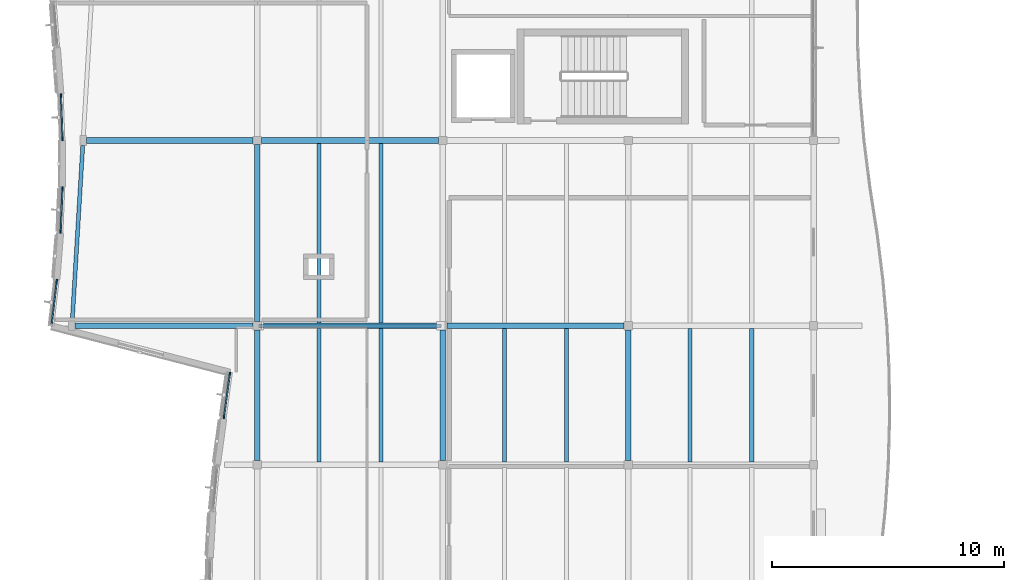
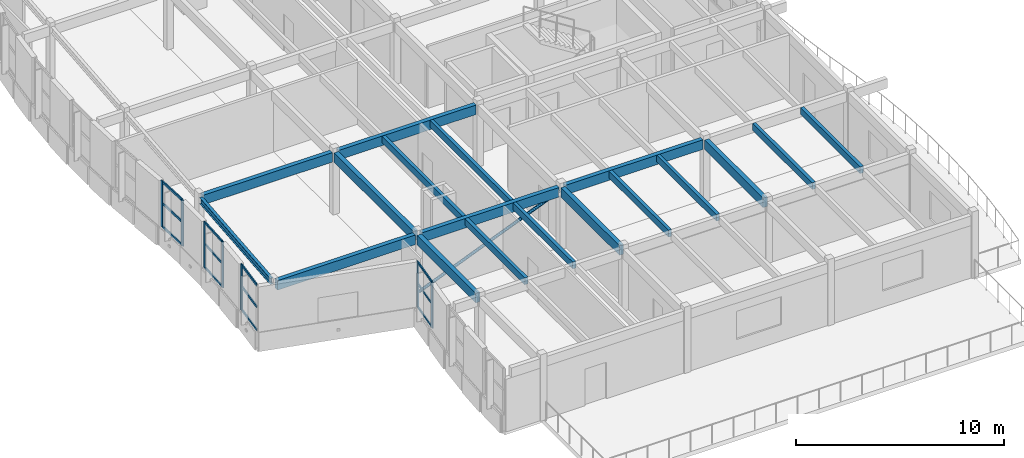
# One storey, part 7 of 63: 20 members, 18 beams, 4 elements without a shape of their own.
"""IFC4 building model written with IfcOpenShell, lengths in metres."""

from ifc_helpers import new_model, si_unit, direction, frame, origin, origin_2d, place, context, subcontext, project, spatial, rectangle, hollow_circle, i_section, extrude, material, layer, layer_set, material_profile, profile_set, type_object, element, aggregate, save


model = new_model("IFC4")

# Units and contexts
model_context = context("Model", 3, precision=1e-05, world=origin(), true_north=direction((0.0, 1.0)))
body_context = subcontext(model_context, "Body", "Model", "MODEL_VIEW")
ifc_project = project(units=[si_unit("LENGTHUNIT", "METRE"), si_unit("AREAUNIT", "SQUARE_METRE"), si_unit("VOLUMEUNIT", "CUBIC_METRE"), si_unit("PLANEANGLEUNIT", "RADIAN"), si_unit("MASSUNIT", "GRAM", prefix="KILO")], contexts=[model_context])

# Site, building, storey
site_placement = place(None, origin())
site = spatial("IfcSite", under=ifc_project, at=site_placement, CompositionType="ELEMENT")
building_placement = place(site_placement, origin())
building = spatial("IfcBuilding", under=site, at=building_placement, Name="Tonlespit Floodbar School", CompositionType="ELEMENT")
storey_placement = place(building_placement, frame((0.0, 0.0, 8.39990234375)))
storey = spatial("IfcBuildingStorey", under=building, at=storey_placement, Name="L02", CompositionType="ELEMENT", Elevation=8.39990234375)

# Beams
ifc_material_1 = material(Name="Glulam GL28h", Category="wood")
ifc_material_profile_1 = material_profile(ifc_material_1, rectangle(XDim=0.239990234375, YDim=0.56005859375, at=origin_2d()), Name="GL 240x560")
ifc_profile_set_1 = profile_set([ifc_material_profile_1], Name="Glulam GL28h")
beam_type_1 = type_object("IfcBeamType", Name="Beam_GL_240x560", PredefinedType="BEAM", material=ifc_profile_set_1)
beam_1_placement = place(storey_placement, frame((4.139892578125, 56.0, 3.3701171875), z_axis=(1.0, 0.0, 0.0), x_axis=(0.0, 1.0, 0.0)))
element("IfcBeam", 1, at=beam_1_placement, inside=storey, type_object=beam_type_1, Name="L02 girder 0932", PredefinedType="BEAM", context=body_context, shape_type="SweptSolid", body=[
    extrude(rectangle(XDim=0.239990234375, YDim=0.56005859375, at=origin_2d()), origin(), (0.0, 0.0, 1.0), 7.68017578125),
])
for number, where, z_axis, x_axis, name in (
    (2, (12.179931640625, 56.0, 3.3681640625), (1.0, 0.0, 0.0), (0.0, 1.0, 0.0), "L02 girder 0933"),
    (3, (20.179931640625, 56.0, 3.3681640625), (1.0, 0.0, 0.0), (0.0, 1.0, 0.0), "L02 girder 0934"),
):
    element("IfcBeam", number, at=place(storey_placement, frame(where, z_axis=z_axis, x_axis=x_axis)), inside=storey, type_object=beam_type_1, Name=name, PredefinedType="BEAM", context=body_context, shape_type="SweptSolid", body=[
        extrude(rectangle(XDim=0.239990234375, YDim=0.56005859375, at=origin_2d()), origin(), (0.0, 0.0, 1.0), 7.64013671875),
    ])
beam_2_placement = place(storey_placement, frame((4.6201171875, 64.0, 3.3701171875), z_axis=(1.0, 0.0, 0.0), x_axis=(0.0, 1.0, 0.0)))
element("IfcBeam", 4, at=beam_2_placement, inside=storey, type_object=beam_type_1, Name="L02 girder 0936", PredefinedType="BEAM", context=body_context, shape_type="SweptSolid", body=[
    extrude(rectangle(XDim=0.239990234375, YDim=0.56005859375, at=origin_2d()), origin(), (0.0, 0.0, 1.0), 7.199951171875),
])
beam_3_placement = place(storey_placement, frame((12.179931640625, 64.0, 3.3701171875), z_axis=(1.0, 0.0, 0.0), x_axis=(0.0, 1.0, 0.0)))
element("IfcBeam", 5, at=beam_3_placement, inside=storey, type_object=beam_type_1, Name="L02 girder 0937", PredefinedType="BEAM", context=body_context, shape_type="SweptSolid", body=[
    extrude(rectangle(XDim=0.239990234375, YDim=0.56005859375, at=origin_2d()), origin(), (0.0, 0.0, 1.0), 7.64013671875),
])
beam_4_placement = place(storey_placement, frame((12.0, 50.179931640625, 3.3681640625), z_axis=(0.0, 1.0, 0.0), x_axis=(-1.0, 0.0, 0.0)))
element("IfcBeam", 6, at=beam_4_placement, inside=storey, type_object=beam_type_1, Name="L02 girder 1002", PredefinedType="BEAM", context=body_context, shape_type="SweptSolid", body=[
    extrude(rectangle(XDim=0.239990234375, YDim=0.56005859375, at=origin_2d()), origin(), (0.0, 0.0, 1.0), 5.64013671875),
])
beam_5_placement = place(storey_placement, frame((12.0, 56.179931640625, 3.3701171875), z_axis=(0.0, 1.0, 0.0), x_axis=(-1.0, 0.0, 0.0)))
element("IfcBeam", 7, at=beam_5_placement, inside=storey, type_object=beam_type_1, Name="L02 girder 1003", PredefinedType="BEAM", context=body_context, shape_type="SweptSolid", body=[
    extrude(rectangle(XDim=0.239990234375, YDim=0.56005859375, at=origin_2d()), origin(), (0.0, 0.0, 1.0), 7.64013671875),
])
for number, where, z_axis, x_axis, name in (
    (8, (20.0, 50.179931640625, 3.3681640625), (0.0, 1.0, 0.0), (-1.0, 0.0, 0.0), "L02 girder 1011"),
    (9, (28.0, 50.179931640625, 3.3681640625), (0.0, 1.0, 0.0), (-1.0, 0.0, 0.0), "L02 girder 1020"),
):
    element("IfcBeam", number, at=place(storey_placement, frame(where, z_axis=z_axis, x_axis=x_axis)), inside=storey, type_object=beam_type_1, Name=name, PredefinedType="BEAM", context=body_context, shape_type="SweptSolid", body=[
        extrude(rectangle(XDim=0.239990234375, YDim=0.56005859375, at=origin_2d()), origin(), (0.0, 0.0, 1.0), 5.64013671875),
    ])

# Member
ifc_material_2 = material(Name="Steel S355", Category="steel")
ifc_material_profile_2 = material_profile(ifc_material_2, hollow_circle(Radius=0.084228515625, WallThickness=0.008056640625, at=origin_2d()), Name="CHS 168.3x8")
ifc_profile_set_2 = profile_set([ifc_material_profile_2], Name="Steel S355")
member_type_1 = type_object("IfcMemberType", Name="Brace_STL_CHS168", PredefinedType="BRACE", material=ifc_profile_set_2)
member_1_placement = place(storey_placement, frame((12.080078125, 56.0, 0.150146484375), z_axis=(0.92584702609, 0.0, 0.377898510556), x_axis=(0.0, 1.0, 0.0)))
element("IfcMember", 10, at=member_1_placement, inside=storey, type_object=member_type_1, Name="L02 exposed deconstructivist lateral brace 1", PredefinedType="BRACE", context=body_context, shape_type="SweptSolid", body=[
    extrude(hollow_circle(Radius=0.084228515625, WallThickness=0.008056640625, at=origin_2d()), origin(), (0.0, 0.0, 1.0), 8.4677734375),
])

# Curtain wall, members
ifc_material_3 = material(Name="Anodised Aluminium", Category="aluminium")
ifc_layer_1 = layer(ifc_material_3, 0.159912109375)
ifc_layer_set_1 = layer_set([ifc_layer_1], Name="Anodised Aluminium")
curtain_wall_type_1 = type_object("IfcCurtainWallType", Name="CurtainWall_1950x2700", PredefinedType="NOTDEFINED", material=ifc_layer_set_1)
curtain_wall_1_placement = place(storey_placement, origin())
curtain_wall_1 = element("IfcCurtainWall", 11, at=curtain_wall_1_placement, inside=storey, type_object=curtain_wall_type_1, Name="L02 unitised curtain wall 0286", PredefinedType="NOTDEFINED")
ifc_material_profile_3 = material_profile(ifc_material_3, rectangle(XDim=0.06494140625, YDim=0.14990234375, at=origin_2d()), Name="ALU M65x150")
ifc_profile_set_3 = profile_set([ifc_material_profile_3], Name="Anodised Aluminium")
member_type_2 = type_object("IfcMemberType", Name="CW_Mullion_65x150", PredefinedType="MULLION", material=ifc_profile_set_3)
member_2_placement = place(storey_placement, frame((10.559814453125, 52.07177734375, 0.9501953125), z_axis=(0.0, 0.0, 1.0), x_axis=(-0.990894096494, 0.134643564765, 0.0)))
member_2 = element("IfcMember", 12, at=member_2_placement, type_object=member_type_2, Name="CW-04 mullion 1", PredefinedType="MULLION", context=body_context, shape_type="SweptSolid", body=[
    extrude(rectangle(XDim=0.06494140625, YDim=0.14990234375, at=origin_2d()), origin(), (0.0, 0.0, 1.0), 2.699951171875),
])
member_3_placement = place(storey_placement, frame((10.81201171875, 53.92822265625, 0.9501953125), z_axis=(0.0, 0.0, 1.0), x_axis=(-0.990894096494, 0.134643564765, 0.0)))
member_3 = element("IfcMember", 13, at=member_3_placement, type_object=member_type_2, Name="CW-04 mullion 2", PredefinedType="MULLION", context=body_context, shape_type="SweptSolid", body=[
    extrude(rectangle(XDim=0.06494140625, YDim=0.14990234375, at=origin_2d()), origin(), (0.0, 0.0, 1.0), 2.699951171875),
])

ifc_layer_2 = layer(ifc_material_3, 0.159912109375)
ifc_layer_set_2 = layer_set([ifc_layer_2], Name="Anodised Aluminium")
curtain_wall_type_2 = type_object("IfcCurtainWallType", Name="CurtainWall_1900x2700", PredefinedType="NOTDEFINED", material=ifc_layer_set_2)
curtain_wall_2_placement = place(storey_placement, origin())
curtain_wall_2 = element("IfcCurtainWall", 14, at=curtain_wall_2_placement, inside=storey, type_object=curtain_wall_type_2, Name="L02 unitised curtain wall 0288", PredefinedType="NOTDEFINED")
member_4_placement = place(storey_placement, frame((3.511962890625, 60.072509765625, 0.9501953125), z_axis=(0.0, 0.0, 1.0), x_axis=(-0.999169480615, 0.040747380387, 0.0)))
member_4 = element("IfcMember", 15, at=member_4_placement, type_object=member_type_2, Name="CW-05 mullion 1", PredefinedType="MULLION", context=body_context, shape_type="SweptSolid", body=[
    extrude(rectangle(XDim=0.06494140625, YDim=0.14990234375, at=origin_2d()), origin(), (0.0, 0.0, 1.0), 2.699951171875),
])
member_5_placement = place(storey_placement, frame((3.587646484375, 61.927490234375, 0.9501953125), z_axis=(0.0, 0.0, 1.0), x_axis=(-0.999169480615, 0.040747380387, 0.0)))
member_5 = element("IfcMember", 16, at=member_5_placement, type_object=member_type_2, Name="CW-05 mullion 2", PredefinedType="MULLION", context=body_context, shape_type="SweptSolid", body=[
    extrude(rectangle(XDim=0.06494140625, YDim=0.14990234375, at=origin_2d()), origin(), (0.0, 0.0, 1.0), 2.699951171875),
])

# Curtain wall, member
curtain_wall_3_placement = place(storey_placement, origin())
curtain_wall_3 = element("IfcCurtainWall", 17, at=curtain_wall_3_placement, inside=storey, type_object=curtain_wall_type_1, Name="L02 unitised curtain wall 0287", PredefinedType="NOTDEFINED")
ifc_material_profile_4 = material_profile(ifc_material_3, rectangle(XDim=0.06494140625, YDim=0.179931640625, at=origin_2d()), Name="ALU M65x180")
ifc_profile_set_4 = profile_set([ifc_material_profile_4], Name="Anodised Aluminium")
member_type_3 = type_object("IfcMemberType", Name="CW_Mullion_65x180", PredefinedType="MULLION", material=ifc_profile_set_4)
member_6_placement = place(storey_placement, frame((3.342041015625, 57.927978515625, 0.9501953125), z_axis=(0.0, 0.0, 1.0), x_axis=(-0.993135771716, 0.116967255837, 0.0)))
member_6 = element("IfcMember", 18, at=member_6_placement, type_object=member_type_3, Name="CW-04 mullion 2", PredefinedType="MULLION", context=body_context, shape_type="SweptSolid", body=[
    extrude(rectangle(XDim=0.06494140625, YDim=0.179931640625, at=origin_2d()), origin(), (0.0, 0.0, 1.0), 2.699951171875),
])

# Curtain wall, members
curtain_wall_4_placement = place(storey_placement, origin())
curtain_wall_4 = element("IfcCurtainWall", 19, at=curtain_wall_4_placement, inside=storey, type_object=curtain_wall_type_2, Name="L02 unitised curtain wall 0289", PredefinedType="NOTDEFINED")
member_7_placement = place(storey_placement, frame((3.59228515625, 64.072509765625, 0.9501953125), z_axis=(0.0, 0.0, 1.0), x_axis=(-0.999332261205, -0.036538085803, 0.0)))
member_7 = element("IfcMember", 20, at=member_7_placement, type_object=member_type_3, Name="CW-05 mullion 1", PredefinedType="MULLION", context=body_context, shape_type="SweptSolid", body=[
    extrude(rectangle(XDim=0.06494140625, YDim=0.179931640625, at=origin_2d()), origin(), (0.0, 0.0, 1.0), 2.699951171875),
])
member_8_placement = place(storey_placement, frame((3.5244140625, 65.927490234375, 0.9501953125), z_axis=(0.0, 0.0, 1.0), x_axis=(-0.999332261205, -0.036538085803, 0.0)))
member_8 = element("IfcMember", 21, at=member_8_placement, type_object=member_type_3, Name="CW-05 mullion 2", PredefinedType="MULLION", context=body_context, shape_type="SweptSolid", body=[
    extrude(rectangle(XDim=0.06494140625, YDim=0.179931640625, at=origin_2d()), origin(), (0.0, 0.0, 1.0), 2.699951171875),
])

# Member
ifc_material_profile_5 = material_profile(ifc_material_3, rectangle(XDim=0.06494140625, YDim=0.1201171875, at=origin_2d()), Name="ALU T65x120")
ifc_profile_set_5 = profile_set([ifc_material_profile_5], Name="Anodised Aluminium")
member_type_4 = type_object("IfcMemberType", Name="CW_Transom_65x120", PredefinedType="USERDEFINED", material=ifc_profile_set_5)
member_9_placement = place(storey_placement, frame((10.564208984375, 52.10400390625, 0.982666015625), z_axis=(0.1345950926, 0.990900681728, 0.0), x_axis=(-0.990900681728, 0.1345950926, 0.0)))
member_9 = element("IfcMember", 22, at=member_9_placement, type_object=member_type_4, Name="CW-04 transom 1.1", ObjectType="TRANSOM", PredefinedType="USERDEFINED", context=body_context, shape_type="SweptSolid", body=[
    extrude(rectangle(XDim=0.06494140625, YDim=0.1201171875, at=origin_2d()), origin(), (0.0, 0.0, 1.0), 1.808349609375),
])

member_10_placement = place(storey_placement, frame((10.564208984375, 52.10400390625, 2.35400390625), z_axis=(0.1345950926, 0.990900681728, 0.0), x_axis=(-0.990900681728, 0.1345950926, 0.0)))
member_10 = element("IfcMember", 23, at=member_10_placement, type_object=member_type_4, Name="CW-04 transom 1.2", ObjectType="TRANSOM", PredefinedType="USERDEFINED", context=body_context, shape_type="SweptSolid", body=[
    extrude(rectangle(XDim=0.06494140625, YDim=0.1201171875, at=origin_2d()), origin(), (0.0, 0.0, 1.0), 1.808349609375),
])

member_11_placement = place(storey_placement, frame((10.564208984375, 52.10400390625, 3.61767578125), z_axis=(0.1345950926, 0.990900681728, 0.0), x_axis=(-0.990900681728, 0.1345950926, 0.0)))
member_11 = element("IfcMember", 24, at=member_11_placement, type_object=member_type_4, Name="CW-04 transom 1.3", ObjectType="TRANSOM", PredefinedType="USERDEFINED", context=body_context, shape_type="SweptSolid", body=[
    extrude(rectangle(XDim=0.06494140625, YDim=0.1201171875, at=origin_2d()), origin(), (0.0, 0.0, 1.0), 1.808349609375),
])

aggregate(curtain_wall_1, [member_2, member_3, member_9, member_10, member_11])

member_12_placement = place(storey_placement, frame((3.513427734375, 60.10498046875, 0.982666015625), z_axis=(0.040746274984, 0.999169525694, 0.0), x_axis=(-0.999169525694, 0.040746274984, 0.0)))
member_12 = element("IfcMember", 25, at=member_12_placement, type_object=member_type_4, Name="CW-05 transom 1.1", ObjectType="TRANSOM", PredefinedType="USERDEFINED", context=body_context, shape_type="SweptSolid", body=[
    extrude(rectangle(XDim=0.06494140625, YDim=0.1201171875, at=origin_2d()), origin(), (0.0, 0.0, 1.0), 1.79150390625),
])

member_13_placement = place(storey_placement, frame((3.513427734375, 60.10498046875, 2.35400390625), z_axis=(0.040746274984, 0.999169525694, 0.0), x_axis=(-0.999169525694, 0.040746274984, 0.0)))
member_13 = element("IfcMember", 26, at=member_13_placement, type_object=member_type_4, Name="CW-05 transom 1.2", ObjectType="TRANSOM", PredefinedType="USERDEFINED", context=body_context, shape_type="SweptSolid", body=[
    extrude(rectangle(XDim=0.06494140625, YDim=0.1201171875, at=origin_2d()), origin(), (0.0, 0.0, 1.0), 1.79150390625),
])

member_14_placement = place(storey_placement, frame((3.513427734375, 60.10498046875, 3.61767578125), z_axis=(0.040746274984, 0.999169525694, 0.0), x_axis=(-0.999169525694, 0.040746274984, 0.0)))
member_14 = element("IfcMember", 27, at=member_14_placement, type_object=member_type_4, Name="CW-05 transom 1.3", ObjectType="TRANSOM", PredefinedType="USERDEFINED", context=body_context, shape_type="SweptSolid", body=[
    extrude(rectangle(XDim=0.06494140625, YDim=0.1201171875, at=origin_2d()), origin(), (0.0, 0.0, 1.0), 1.79150390625),
])

aggregate(curtain_wall_2, [member_4, member_5, member_12, member_13, member_14])

ifc_material_profile_6 = material_profile(ifc_material_3, rectangle(XDim=0.06494140625, YDim=0.139892578125, at=origin_2d()), Name="ALU T65x140")
ifc_profile_set_6 = profile_set([ifc_material_profile_6], Name="Anodised Aluminium")
member_type_5 = type_object("IfcMemberType", Name="CW_Transom_65x140", PredefinedType="USERDEFINED", material=ifc_profile_set_6)
member_15_placement = place(storey_placement, frame((3.127197265625, 56.104248046875, 0.982666015625), z_axis=(0.117068966489, 0.993123787393, 0.0), x_axis=(-0.993123787393, 0.117068966489, 0.0)))
member_15 = element("IfcMember", 28, at=member_15_placement, type_object=member_type_5, Name="CW-04 transom 1.1", ObjectType="TRANSOM", PredefinedType="USERDEFINED", context=body_context, shape_type="SweptSolid", body=[
    extrude(rectangle(XDim=0.06494140625, YDim=0.139892578125, at=origin_2d()), origin(), (0.0, 0.0, 1.0), 1.803955078125),
])

member_16_placement = place(storey_placement, frame((3.127197265625, 56.104248046875, 2.35400390625), z_axis=(0.117068966489, 0.993123787393, 0.0), x_axis=(-0.993123787393, 0.117068966489, 0.0)))
member_16 = element("IfcMember", 29, at=member_16_placement, type_object=member_type_5, Name="CW-04 transom 1.2", ObjectType="TRANSOM", PredefinedType="USERDEFINED", context=body_context, shape_type="SweptSolid", body=[
    extrude(rectangle(XDim=0.06494140625, YDim=0.139892578125, at=origin_2d()), origin(), (0.0, 0.0, 1.0), 1.803955078125),
])

member_17_placement = place(storey_placement, frame((3.127197265625, 56.104248046875, 3.61767578125), z_axis=(0.117068966489, 0.993123787393, 0.0), x_axis=(-0.993123787393, 0.117068966489, 0.0)))
member_17 = element("IfcMember", 30, at=member_17_placement, type_object=member_type_5, Name="CW-04 transom 1.3", ObjectType="TRANSOM", PredefinedType="USERDEFINED", context=body_context, shape_type="SweptSolid", body=[
    extrude(rectangle(XDim=0.06494140625, YDim=0.139892578125, at=origin_2d()), origin(), (0.0, 0.0, 1.0), 1.803955078125),
])

aggregate(curtain_wall_3, [member_6, member_15, member_16, member_17])

member_18_placement = place(storey_placement, frame((3.591064453125, 64.10498046875, 0.982666015625), z_axis=(-0.036527706995, 0.999332640627, 0.0), x_axis=(-0.999332640627, -0.036527706995, 0.0)))
member_18 = element("IfcMember", 31, at=member_18_placement, type_object=member_type_5, Name="CW-05 transom 1.1", ObjectType="TRANSOM", PredefinedType="USERDEFINED", context=body_context, shape_type="SweptSolid", body=[
    extrude(rectangle(XDim=0.06494140625, YDim=0.139892578125, at=origin_2d()), origin(), (0.0, 0.0, 1.0), 1.791259765625),
])

member_19_placement = place(storey_placement, frame((3.591064453125, 64.10498046875, 2.35400390625), z_axis=(-0.036527706995, 0.999332640627, 0.0), x_axis=(-0.999332640627, -0.036527706995, 0.0)))
member_19 = element("IfcMember", 32, at=member_19_placement, type_object=member_type_5, Name="CW-05 transom 1.2", ObjectType="TRANSOM", PredefinedType="USERDEFINED", context=body_context, shape_type="SweptSolid", body=[
    extrude(rectangle(XDim=0.06494140625, YDim=0.139892578125, at=origin_2d()), origin(), (0.0, 0.0, 1.0), 1.791259765625),
])

member_20_placement = place(storey_placement, frame((3.591064453125, 64.10498046875, 3.61767578125), z_axis=(-0.036527706995, 0.999332640627, 0.0), x_axis=(-0.999332640627, -0.036527706995, 0.0)))
member_20 = element("IfcMember", 33, at=member_20_placement, type_object=member_type_5, Name="CW-05 transom 1.3", ObjectType="TRANSOM", PredefinedType="USERDEFINED", context=body_context, shape_type="SweptSolid", body=[
    extrude(rectangle(XDim=0.06494140625, YDim=0.139892578125, at=origin_2d()), origin(), (0.0, 0.0, 1.0), 1.791259765625),
])

aggregate(curtain_wall_4, [member_7, member_8, member_18, member_19, member_20])

# Beams
ifc_material_profile_7 = material_profile(ifc_material_1, rectangle(XDim=0.179931640625, YDim=0.39990234375, at=origin_2d()), Name="GL 180x400")
ifc_profile_set_7 = profile_set([ifc_material_profile_7], Name="Glulam GL28h")
beam_type_2 = type_object("IfcBeamType", Name="Joist_GL_180x400", PredefinedType="JOIST", material=ifc_profile_set_7)
for number, where, z_axis, x_axis, name in (
    (34, (14.666748046875, 50.1201171875, 3.447998046875), (0.0, 1.0, 0.0), (-1.0, 0.0, 0.0), "L02 secondary joist 1071"),
    (35, (17.333251953125, 50.1201171875, 3.447998046875), (0.0, 1.0, 0.0), (-1.0, 0.0, 0.0), "L02 secondary joist 1072"),
    (36, (22.666748046875, 50.1201171875, 3.447998046875), (0.0, 1.0, 0.0), (-1.0, 0.0, 0.0), "L02 secondary joist 1073"),
    (37, (25.333251953125, 50.1201171875, 3.447998046875), (0.0, 1.0, 0.0), (-1.0, 0.0, 0.0), "L02 secondary joist 1074"),
    (38, (30.666748046875, 50.1201171875, 3.447998046875), (0.0, 1.0, 0.0), (-1.0, 0.0, 0.0), "L02 secondary joist 1075"),
    (39, (33.333251953125, 50.1201171875, 3.447998046875), (0.0, 1.0, 0.0), (-1.0, 0.0, 0.0), "L02 secondary joist 1076"),
):
    element("IfcBeam", number, at=place(storey_placement, frame(where, z_axis=z_axis, x_axis=x_axis)), inside=storey, type_object=beam_type_2, Name=name, PredefinedType="JOIST", context=body_context, shape_type="SweptSolid", body=[
        extrude(rectangle(XDim=0.179931640625, YDim=0.39990234375, at=origin_2d()), origin(), (0.0, 0.0, 1.0), 5.759765625),
    ])
for number, where, z_axis, x_axis, name in (
    (40, (14.666748046875, 56.1201171875, 3.447998046875), (0.0, 1.0, 0.0), (-1.0, 0.0, 0.0), "L02 secondary joist 1077"),
    (41, (17.333251953125, 56.1201171875, 3.447998046875), (0.0, 1.0, 0.0), (-1.0, 0.0, 0.0), "L02 secondary joist 1078"),
):
    element("IfcBeam", number, at=place(storey_placement, frame(where, z_axis=z_axis, x_axis=x_axis)), inside=storey, type_object=beam_type_2, Name=name, PredefinedType="JOIST", context=body_context, shape_type="SweptSolid", body=[
        extrude(rectangle(XDim=0.179931640625, YDim=0.39990234375, at=origin_2d()), origin(), (0.0, 0.0, 1.0), 7.759765625),
    ])
ifc_material_profile_8 = material_profile(ifc_material_2, i_section(OverallWidth=0.169921875, OverallDepth=0.360107421875, WebThickness=0.008056640625, FlangeThickness=0.0126953125, at=origin_2d()), Name="IPE 360")
ifc_profile_set_8 = profile_set([ifc_material_profile_8], Name="Steel S355")
beam_type_3 = type_object("IfcBeamType", Name="Spandrel_STL_IPE360", PredefinedType="SPANDREL", material=ifc_profile_set_8)
beam_6_placement = place(storey_placement, frame((4.0126953125, 56.209716796875, 3.47021484375), z_axis=(0.05986025765, 0.998206766935, 0.0), x_axis=(-0.998206766935, 0.05986025765, 0.0)))
element("IfcBeam", 42, at=beam_6_placement, inside=storey, type_object=beam_type_3, Name="L02 splayed edge spandrel 1060", PredefinedType="SPANDREL", context=body_context, shape_type="SweptSolid", body=[
    extrude(i_section(OverallWidth=0.169921875, OverallDepth=0.360107421875, WebThickness=0.008056640625, FlangeThickness=0.0126953125, at=origin_2d()), origin(), (0.0, 0.0, 1.0), 7.59423828125),
])

save(model, "model.ifc")
